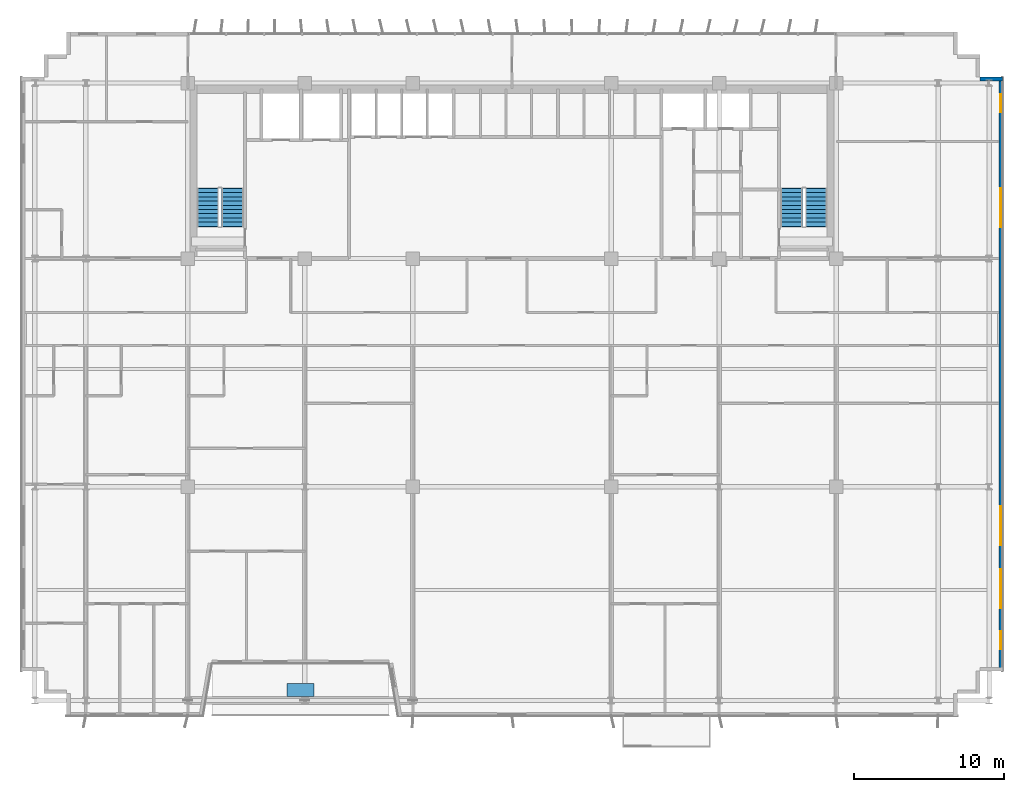
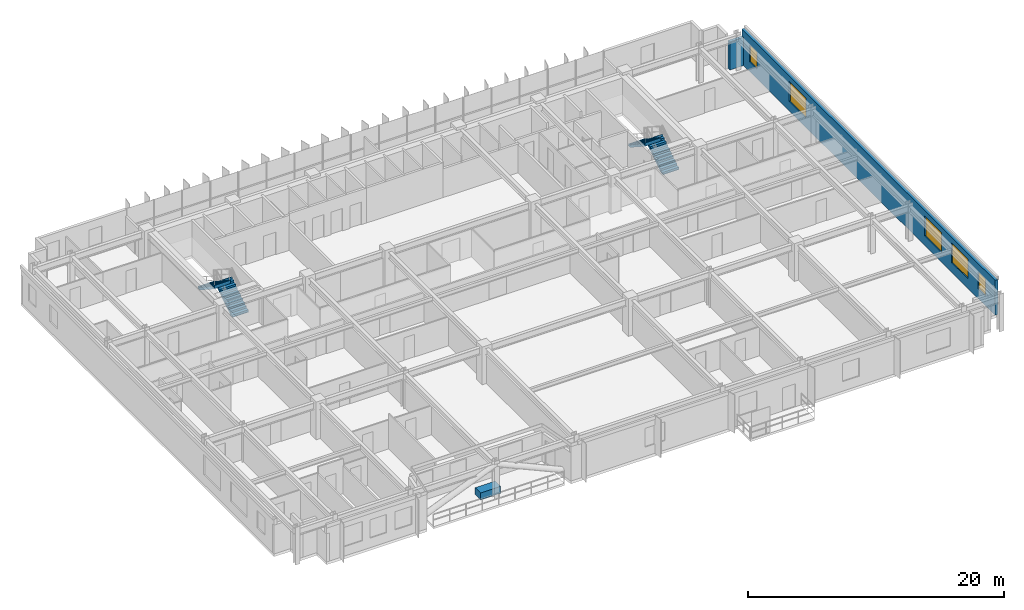
# One storey, part 20 of 23: 5 windows, 4 stair flights, 2 walls, 1 discrete accessory, 5 openings, 2 elements without a shape of their own.
"""IFC4 building model written with IfcOpenShell, lengths in metres."""

import ifcopenshell
import ifcopenshell.guid

model = None  # the IFC model being written
_history = None  # IfcOwnerHistory: only IFC2X3 demands one
_inside = {}  # id of a spatial element -> (the spatial element, [elements in it])
_under = {}  # id of a project, library or spatial element -> (it, [spatial elements below it])
_declared = {}  # id of a project -> (the project, [libraries it declares])
_typed = {}  # id of a type object -> (the type object, [elements of that type])
_made_of = {}  # id of a material, layer set ... -> (it, [elements and type objects made of it])


def new_model(schema):
    """Start an empty IFC model of exactly this schema.

    Asked for "IFC4X3", IfcOpenShell would pick the latest addendum, in which some entities
    have other attributes; the version numbers below select the first issue.
    IFC2X3 requires an IfcOwnerHistory on every rooted entity: one is made here for all.
    """
    global model, _history
    if schema == "IFC4X3":
        model = ifcopenshell.file(schema_version=(4, 3, 0, 0))
    else:
        model = ifcopenshell.file(schema=schema)
    _inside.clear()
    _under.clear()
    _declared.clear()
    _typed.clear()
    _made_of.clear()
    _history = None
    if model.schema == "IFC2X3":
        org = make("IfcOrganization", Name="unknown")
        user = make(
            "IfcPersonAndOrganization",
            ThePerson=make("IfcPerson", FamilyName="unknown"),
            TheOrganization=org,
        )
        app = make(
            "IfcApplication",
            ApplicationDeveloper=org,
            Version="unknown",
            ApplicationFullName="unknown",
            ApplicationIdentifier="unknown",
        )
        _history = make(
            "IfcOwnerHistory",
            OwningUser=user,
            OwningApplication=app,
            ChangeAction="ADDED",
            CreationDate=0,
        )
    return model


def make(cls, **values):
    """One entity of the class cls with the attributes given. An attribute that is None is left unset."""
    return model.create_entity(
        cls, **{name: value for name, value in values.items() if value is not None}
    )


def rooted(cls, **values):
    """An entity with a GlobalId (a new one), such as an element, a storey or a relation."""
    return make(cls, GlobalId=ifcopenshell.guid.new(), OwnerHistory=_history, **values)


def si_unit(unit_type, name, prefix=None):
    """IfcSIUnit, for example si_unit("LENGTHUNIT", "METRE", prefix="MILLI")."""
    return make("IfcSIUnit", UnitType=unit_type, Prefix=prefix, Name=name)


def assignment(units):
    """IfcUnitAssignment: the units of a project."""
    return None if units is None else make("IfcUnitAssignment", Units=units)


def point(xyz):
    """IfcCartesianPoint."""
    return None if xyz is None else make("IfcCartesianPoint", Coordinates=xyz)


def direction(xyz):
    """IfcDirection."""
    return None if xyz is None else make("IfcDirection", DirectionRatios=xyz)


def frame(location, z_axis=None, x_axis=None):
    """IfcAxis2Placement3D, a coordinate frame: its origin and axes. An axis left out is left unset."""
    return make(
        "IfcAxis2Placement3D",
        Location=point(location),
        Axis=direction(z_axis),
        RefDirection=direction(x_axis),
    )


def frame_2d(location, x_axis=None):
    """IfcAxis2Placement2D, a coordinate frame in the plane: its origin and x axis."""
    return make(
        "IfcAxis2Placement2D", Location=point(location), RefDirection=direction(x_axis)
    )


def origin():
    """The frame at (0, 0, 0) with its axes left unset."""
    return frame((0.0, 0.0, 0.0))


def origin_2d():
    """The frame at (0, 0) in the plane with its x axis left unset."""
    return frame_2d((0.0, 0.0))


def place(relative_to, where):
    """IfcLocalPlacement: puts the frame where relative to a parent placement (None: the world)."""
    return make(
        "IfcLocalPlacement", PlacementRelTo=relative_to, RelativePlacement=where
    )


def context(
    kind, dimensions, precision=None, world=None, true_north=None, identifier=None
):
    """IfcGeometricRepresentationContext, for example the 3D "Model" context."""
    return make(
        "IfcGeometricRepresentationContext",
        ContextIdentifier=identifier,
        ContextType=kind,
        CoordinateSpaceDimension=dimensions,
        Precision=precision,
        WorldCoordinateSystem=world,
        TrueNorth=true_north,
    )


def subcontext(parent, identifier, kind, view, scale=None):
    """IfcGeometricRepresentationSubContext, for example "Body" below "Model"."""
    return make(
        "IfcGeometricRepresentationSubContext",
        ContextIdentifier=identifier,
        ContextType=kind,
        ParentContext=parent,
        TargetScale=scale,
        TargetView=view,
    )


def project(units=None, contexts=None):
    """IfcProject with its units and contexts."""
    return rooted(
        "IfcProject",
        Name="project",
        RepresentationContexts=contexts,
        UnitsInContext=assignment(units),
    )


def spatial(cls, under=None, at=None, **own):
    """A site, building, storey or space (cls), placed at a placement, below another one or the project."""
    s = rooted(cls, ObjectPlacement=at, **own)
    if under is not None:
        _under.setdefault(under.id(), (under, []))[1].append(s)
    return s


def polyline(points):
    """IfcPolyline through the points."""
    return make("IfcPolyline", Points=[point(p) for p in points])


def profile(cls, at=None, kind="AREA", **sizes):
    """A parametric profile (cls). Its sizes go by their IFC names, for example OverallWidth=200.0."""
    return make(cls, ProfileType=kind, Position=at, **sizes)


def rectangle(**sizes):
    """IfcRectangleProfileDef."""
    return profile("IfcRectangleProfileDef", **sizes)


def outline(outer, holes=None, kind="AREA"):
    """IfcArbitraryClosedProfileDef: a profile drawn as a closed curve; with holes, ...WithVoids."""
    if holes is None:
        return make("IfcArbitraryClosedProfileDef", ProfileType=kind, OuterCurve=outer)
    return make(
        "IfcArbitraryProfileDefWithVoids",
        ProfileType=kind,
        OuterCurve=outer,
        InnerCurves=holes,
    )


def extrude(swept, where, along, depth):
    """IfcExtrudedAreaSolid: the profile swept, set in the frame where, extruded along a direction by depth."""
    return make(
        "IfcExtrudedAreaSolid",
        SweptArea=swept,
        Position=where,
        ExtrudedDirection=direction(along),
        Depth=depth,
    )


def shape(context_of_items, identifier, shape_type, items):
    """IfcShapeRepresentation: the items that make up one representation, for example the "Body"."""
    return make(
        "IfcShapeRepresentation",
        ContextOfItems=context_of_items,
        RepresentationIdentifier=identifier,
        RepresentationType=shape_type,
        Items=items,
    )


def source(mapping_origin, context_of_items, identifier, shape_type, items):
    """IfcRepresentationMap: a shape defined once, which mapped items show again and again."""
    return make(
        "IfcRepresentationMap",
        MappingOrigin=mapping_origin,
        MappedRepresentation=shape(context_of_items, identifier, shape_type, items),
    )


def transform(
    local_origin,
    x_axis=None,
    y_axis=None,
    z_axis=None,
    scale=None,
    scale2=None,
    scale3=None,
    uniform=True,
):
    """IfcCartesianTransformationOperator3D, or its non-uniform kind. x_axis, y_axis, z_axis: its Axis1, 2, 3."""
    if uniform:
        return make(
            "IfcCartesianTransformationOperator3D",
            Axis1=direction(x_axis),
            Axis2=direction(y_axis),
            LocalOrigin=point(local_origin),
            Scale=scale,
            Axis3=direction(z_axis),
        )
    return make(
        "IfcCartesianTransformationOperator3DnonUniform",
        Axis1=direction(x_axis),
        Axis2=direction(y_axis),
        LocalOrigin=point(local_origin),
        Scale=scale,
        Axis3=direction(z_axis),
        Scale2=scale2,
        Scale3=scale3,
    )


def mapped(mapping_source, mapping_target):
    """IfcMappedItem: shows the shape of a source again, moved by a transform."""
    return make(
        "IfcMappedItem", MappingSource=mapping_source, MappingTarget=mapping_target
    )


def material(Name=None, Category=None):
    """IfcMaterial."""
    return make("IfcMaterial", Name=Name, Category=Category)


def layer(
    of_material, thickness, ventilated=None, Name=None, Category=None, Priority=None
):
    """IfcMaterialLayer: one layer of a wall or slab, of a material (None: an air gap)."""
    return make(
        "IfcMaterialLayer",
        Material=of_material,
        LayerThickness=thickness,
        IsVentilated=ventilated,
        Name=Name,
        Category=Category,
        Priority=Priority,
    )


def layer_set(layers, Name=None):
    """IfcMaterialLayerSet."""
    return make("IfcMaterialLayerSet", MaterialLayers=layers, LayerSetName=Name)


def made_of(thing, what):
    """Note that an element or type object is made of a material, layer set ...; save() writes the relation."""
    if what is not None:
        _made_of.setdefault(what.id(), (what, []))[1].append(thing)
    return thing


def type_object(cls, material=None, **own):
    """A type object (cls), such as IfcWallType, which elements share."""
    return made_of(rooted(cls, **own), material)


def element(
    cls,
    number,
    at=None,
    inside=None,
    cuts=None,
    type_object=None,
    material=None,
    context=None,
    identifier="Body",
    shape_type=None,
    held_by="IfcProductDefinitionShape",
    body=None,
    shapes=None,
    **own,
):
    """One element of the class cls, such as IfcWall. Its Tag is "e" and its number.

    at: its placement. inside: the storey or other place that contains it. cuts: it is an
    opening in that element (IfcRelVoidsElement). A single representation is given by context,
    identifier, shape_type and body (its items); several are given by shapes. held_by: the class
    of the entity that holds the representations. save() writes the other relations.
    """
    e = rooted(cls, Tag="e%d" % number, ObjectPlacement=at, **own)
    if body is not None:
        shapes = [shape(context, identifier, shape_type, body)]
    if shapes is not None:
        e.Representation = make(held_by, Representations=shapes)
    if inside is not None:
        _inside.setdefault(inside.id(), (inside, []))[1].append(e)
    if cuts is not None:
        rooted(
            "IfcRelVoidsElement", RelatingBuildingElement=cuts, RelatedOpeningElement=e
        )
    if type_object is not None:
        _typed.setdefault(type_object.id(), (type_object, []))[1].append(e)
    return made_of(e, material)


def fill(opening, filler):
    """IfcRelFillsElement: the door or window that sits in an opening."""
    return rooted(
        "IfcRelFillsElement",
        RelatingOpeningElement=opening,
        RelatedBuildingElement=filler,
    )


def aggregate(whole, parts):
    """IfcRelAggregates: a whole, such as a stair, and the parts it consists of."""
    return rooted("IfcRelAggregates", RelatingObject=whole, RelatedObjects=parts)


def save(model, path):
    """Write the relations noted so far, then the file.

    IfcRelAggregates (storeys below a building ...), IfcRelContainedInSpatialStructure (elements
    in a storey), IfcRelDefinesByType, IfcRelAssociatesMaterial and IfcRelDeclares: one each for
    every whole, place, type object, material and project.
    """
    for whole, parts in _under.values():
        aggregate(whole, parts)
    for where, things in _inside.values():
        rooted(
            "IfcRelContainedInSpatialStructure",
            RelatedElements=things,
            RelatingStructure=where,
        )
    for kind, things in _typed.values():
        rooted("IfcRelDefinesByType", RelatedObjects=things, RelatingType=kind)
    for what, things in _made_of.values():
        rooted("IfcRelAssociatesMaterial", RelatedObjects=things, RelatingMaterial=what)
    for by, libraries in _declared.values():
        rooted("IfcRelDeclares", RelatingContext=by, RelatedDefinitions=libraries)
    model.write(path)


model = new_model("IFC4")

# Units and contexts
model_context = context("Model", 3, precision=1e-05, world=origin(), true_north=direction((0.0, 1.0)))
body_context = subcontext(model_context, "Body", "Model", "MODEL_VIEW")
ifc_project = project(units=[si_unit("LENGTHUNIT", "METRE"), si_unit("AREAUNIT", "SQUARE_METRE"), si_unit("VOLUMEUNIT", "CUBIC_METRE"), si_unit("PLANEANGLEUNIT", "RADIAN"), si_unit("MASSUNIT", "GRAM", prefix="KILO")], contexts=[model_context])

# Site, building, storey
site_placement = place(None, origin())
site = spatial("IfcSite", under=ifc_project, at=site_placement, CompositionType="ELEMENT")
building_placement = place(site_placement, origin())
building = spatial("IfcBuilding", under=site, at=building_placement, Name="Trelvane Seafront Commons", CompositionType="ELEMENT")
storey_placement = place(building_placement, frame((0.0, 0.0, 63.10009765625)))
storey = spatial("IfcBuildingStorey", under=building, at=storey_placement, Name="L16", CompositionType="ELEMENT", Elevation=63.10009765625)

# Wall
ifc_material_1 = material(Name="Precast concrete C40/50", Category="concrete")
ifc_layer = layer(ifc_material_1, 0.260009765625, Name="ARCH-WALL-EXT260")
ifc_layer_set = layer_set([ifc_layer], Name="Precast concrete C40/50")
wall_type = type_object("IfcWallType", Name="ARCH-WALL-EXT260", PredefinedType="SOLIDWALL", material=ifc_layer_set)
wall_1_placement = place(storey_placement, frame((68.39990234375, 45.3701171875, 0.0), z_axis=(0.0, 0.0, 1.0), x_axis=(1.0, 0.0, 0.0)))
element("IfcWall", 1, at=wall_1_placement, inside=storey, type_object=wall_type, Name="EW-L16-00289", PredefinedType="SOLIDWALL", context=body_context, shape_type="SweptSolid", body=[
    extrude(rectangle(XDim=1.5, YDim=0.260009765625, at=frame_2d((0.75, 0.0))), origin(), (0.0, 0.0, 1.0), 2.68994140625),
])

# Wall, openings, windows
wall_2_placement = place(storey_placement, frame((69.77001953125, 45.5, 0.0), z_axis=(0.0, 0.0, 1.0), x_axis=(0.0, -1.0, 0.0)))
wall_2 = element("IfcWall", 2, at=wall_2_placement, inside=storey, type_object=wall_type, Name="EW-L16-00290", PredefinedType="SOLIDWALL", context=body_context, shape_type="SweptSolid", body=[
    extrude(rectangle(XDim=39.60009765625, YDim=0.260009765625, at=frame_2d((19.800048828125, 0.0))), origin(), (0.0, 0.0, 1.0), 3.33984375),
])
opening_1_placement = place(wall_2_placement, frame((36.949951171875, 0.0, 0.919921875)))
opening_1 = element("IfcOpeningElement", 3, at=opening_1_placement, cuts=wall_2, Name="Opening W05", PredefinedType="OPENING", context=body_context, shape_type="SweptSolid", body=[
    extrude(rectangle(XDim=1.199951171875, YDim=1.64990234375, at=frame_2d((0.60009765625, 0.824951171875))), frame((0.0, 0.139892578125, 0.0), z_axis=(0.0, -1.0, 0.0), x_axis=(1.0, 0.0, 0.0)), (0.0, 0.0, 1.0), 0.280029296875),
])
opening_2_placement = place(wall_2_placement, frame((32.800048828125, 0.0, 0.919921875)))
opening_2 = element("IfcOpeningElement", 4, at=opening_2_placement, cuts=wall_2, Name="Opening W04", PredefinedType="OPENING", context=body_context, shape_type="SweptSolid", body=[
    extrude(rectangle(XDim=2.60009765625, YDim=1.89990234375, at=frame_2d((1.300048828125, 0.949951171875))), frame((0.0, 0.139892578125, 0.0), z_axis=(0.0, -1.0, 0.0), x_axis=(1.0, 0.0, 0.0)), (0.0, 0.0, 1.0), 0.280029296875),
])
opening_3_placement = place(wall_2_placement, frame((28.60009765625, 0.0, 0.919921875)))
opening_3 = element("IfcOpeningElement", 5, at=opening_3_placement, cuts=wall_2, Name="Opening W04", PredefinedType="OPENING", context=body_context, shape_type="SweptSolid", body=[
    extrude(rectangle(XDim=2.60009765625, YDim=1.89990234375, at=frame_2d((1.300048828125, 0.949951171875))), frame((0.0, 0.139892578125, 0.0), z_axis=(0.0, -1.0, 0.0), x_axis=(1.0, 0.0, 0.0)), (0.0, 0.0, 1.0), 0.280029296875),
])
opening_4_placement = place(wall_2_placement, frame((7.39990234375, 0.0, 0.919921875)))
opening_4 = element("IfcOpeningElement", 6, at=opening_4_placement, cuts=wall_2, Name="Opening W04", PredefinedType="OPENING", context=body_context, shape_type="SweptSolid", body=[
    extrude(rectangle(XDim=2.60009765625, YDim=1.89990234375, at=frame_2d((1.300048828125, 0.949951171875))), frame((0.0, 0.139892578125, 0.0), z_axis=(0.0, -1.0, 0.0), x_axis=(1.0, 0.0, 0.0)), (0.0, 0.0, 1.0), 0.280029296875),
])
opening_5_placement = place(wall_2_placement, frame((1.14990234375, 0.0, 0.919921875)))
opening_5 = element("IfcOpeningElement", 7, at=opening_5_placement, cuts=wall_2, Name="Opening W05", PredefinedType="OPENING", context=body_context, shape_type="SweptSolid", body=[
    extrude(rectangle(XDim=1.199951171875, YDim=1.64990234375, at=frame_2d((0.60009765625, 0.824951171875))), frame((0.0, 0.139892578125, 0.0), z_axis=(0.0, -1.0, 0.0), x_axis=(1.0, 0.0, 0.0)), (0.0, 0.0, 1.0), 0.280029296875),
])
ifc_material_2 = material(Name="Low-E coastal double glazing", Category="glass")
window_type_1 = type_object("IfcWindowType", Name="ARCH-WIN-W04", PartitioningType="SINGLE_PANEL", PredefinedType="WINDOW", material=ifc_material_2)
shared_shape_1 = source(origin(), body_context, "Body", "SweptSolid", [
    extrude(rectangle(XDim=2.60009765625, YDim=1.89990234375, at=frame_2d((1.300048828125, 0.949951171875))), frame((0.0, 0.030029296875, 0.0), z_axis=(0.0, -1.0, 0.0), x_axis=(1.0, 0.0, 0.0)), (0.0, 0.0, 1.0), 0.06005859375),
])
window_1_placement = place(opening_2_placement, origin())
window_1 = element("IfcWindow", 8, at=window_1_placement, inside=storey, type_object=window_type_1, Name="WIN-L16-EW-00341", OverallHeight=1.89990234375, OverallWidth=2.60009765625, PartitioningType="SINGLE_PANEL", PredefinedType="WINDOW", context=body_context, shape_type="MappedRepresentation", body=[
    mapped(shared_shape_1, transform((0.0, 0.0, 0.0), x_axis=(1.0, 0.0, 0.0), y_axis=(0.0, 1.0, 0.0), z_axis=(0.0, 0.0, 1.0), scale=1.0)),
])
fill(opening_2, window_1)
window_2_placement = place(opening_3_placement, origin())
window_2 = element("IfcWindow", 9, at=window_2_placement, inside=storey, type_object=window_type_1, Name="WIN-L16-EW-00342", OverallHeight=1.89990234375, OverallWidth=2.60009765625, PartitioningType="SINGLE_PANEL", PredefinedType="WINDOW", context=body_context, shape_type="MappedRepresentation", body=[
    mapped(shared_shape_1, transform((0.0, 0.0, 0.0), x_axis=(1.0, 0.0, 0.0), y_axis=(0.0, 1.0, 0.0), z_axis=(0.0, 0.0, 1.0), scale=1.0)),
])
fill(opening_3, window_2)
window_3_placement = place(opening_4_placement, origin())
window_3 = element("IfcWindow", 10, at=window_3_placement, inside=storey, type_object=window_type_1, Name="WIN-L16-EW-00343", OverallHeight=1.89990234375, OverallWidth=2.60009765625, PartitioningType="SINGLE_PANEL", PredefinedType="WINDOW", context=body_context, shape_type="MappedRepresentation", body=[
    mapped(shared_shape_1, transform((0.0, 0.0, 0.0), x_axis=(1.0, 0.0, 0.0), y_axis=(0.0, 1.0, 0.0), z_axis=(0.0, 0.0, 1.0), scale=1.0)),
])
fill(opening_4, window_3)
window_type_2 = type_object("IfcWindowType", Name="ARCH-WIN-W05", PartitioningType="SINGLE_PANEL", PredefinedType="WINDOW", material=ifc_material_2)
shared_shape_2 = source(origin(), body_context, "Body", "SweptSolid", [
    extrude(rectangle(XDim=1.199951171875, YDim=1.64990234375, at=frame_2d((0.60009765625, 0.824951171875))), frame((0.0, 0.030029296875, 0.0), z_axis=(0.0, -1.0, 0.0), x_axis=(1.0, 0.0, 0.0)), (0.0, 0.0, 1.0), 0.06005859375),
])
window_4_placement = place(opening_1_placement, origin())
window_4 = element("IfcWindow", 11, at=window_4_placement, inside=storey, type_object=window_type_2, Name="WIN-L16-EW-00340", OverallHeight=1.64990234375, OverallWidth=1.199951171875, PartitioningType="SINGLE_PANEL", PredefinedType="WINDOW", context=body_context, shape_type="MappedRepresentation", body=[
    mapped(shared_shape_2, transform((0.0, 0.0, 0.0), x_axis=(1.0, 0.0, 0.0), y_axis=(0.0, 1.0, 0.0), z_axis=(0.0, 0.0, 1.0), scale=1.0)),
])
fill(opening_1, window_4)
window_5_placement = place(opening_5_placement, origin())
window_5 = element("IfcWindow", 12, at=window_5_placement, inside=storey, type_object=window_type_2, Name="WIN-L16-EW-00344", OverallHeight=1.64990234375, OverallWidth=1.199951171875, PartitioningType="SINGLE_PANEL", PredefinedType="WINDOW", context=body_context, shape_type="MappedRepresentation", body=[
    mapped(shared_shape_2, transform((0.0, 0.0, 0.0), x_axis=(1.0, 0.0, 0.0), y_axis=(0.0, 1.0, 0.0), z_axis=(0.0, 0.0, 1.0), scale=1.0)),
])
fill(opening_5, window_5)

# Stair, stair flights
ifc_material_3 = material(Name="Concrete C40/50", Category="concrete")
stair_type_1 = type_object("IfcStairType", Name="ARCH-STR-ST-1-R20-180", PredefinedType="HALF_TURN_STAIR", material=ifc_material_3)
stair_1_placement = place(storey_placement, origin())
stair_1 = element("IfcStair", 13, at=stair_1_placement, inside=storey, type_object=stair_type_1, Name="L16 West Protected Firefighting Exit Stair ST-1", PredefinedType="HALF_TURN_STAIR")
stair_flight_type_1 = type_object("IfcStairFlightType", Name="ARCH-FLG-ST-1-R20-180", PredefinedType="STRAIGHT", material=ifc_material_3)
shared_shape_3 = source(origin(), body_context, "Body", "SweptSolid", [
    extrude(outline(polyline([(-0.050048828125, -0.02001953125), (-0.050048828125, 0.0), (0.0, 0.0), (0.0, 0.179931640625), (0.280029296875, 0.179931640625), (0.280029296875, 0.360107421875), (0.56005859375, 0.360107421875), (0.56005859375, 0.5400390625), (0.840087890625, 0.5400390625), (0.840087890625, 0.719970703125), (1.1201171875, 0.719970703125), (1.1201171875, 0.89990234375), (1.39990234375, 0.89990234375), (1.39990234375, 1.080078125), (1.679931640625, 1.080078125), (1.679931640625, 1.260009765625), (1.9599609375, 1.260009765625), (1.9599609375, 1.43994140625), (2.239990234375, 1.43994140625), (2.239990234375, 1.6201171875), (2.52001953125, 1.6201171875), (2.52001953125, 1.800048828125), (2.570068359375, 1.800048828125), (2.570068359375, 1.650146484375), (2.52001953125, 1.44189453125), (0.277099609375, -0.02001953125), (-0.050048828125, -0.02001953125)])), frame((0.0, 0.72509765625, 0.0), z_axis=(0.0, -1.0, 0.0), x_axis=(1.0, 0.0, 0.0)), (0.0, 0.0, 1.0), 1.449951171875),
])
stair_flight_1_placement = place(storey_placement, frame((18.574951171875, 35.550048828125, 0.0), z_axis=(0.0, 0.0, 1.0), x_axis=(0.0, 1.0, 0.0)))
stair_flight_1 = element("IfcStairFlight", 14, at=stair_flight_1_placement, type_object=stair_flight_type_1, Name="ST-1 flight 1", NumberOfRisers=10, NumberOfTreads=9, PredefinedType="STRAIGHT", RiserHeight=0.18, TreadLength=0.28, context=body_context, shape_type="MappedRepresentation", body=[
    mapped(shared_shape_3, transform((0.0, 0.0, 0.0), x_axis=(1.0, 0.0, 0.0), y_axis=(0.0, 1.0, 0.0), z_axis=(0.0, 0.0, 1.0), scale=1.0)),
])
stair_flight_2_placement = place(storey_placement, frame((16.925048828125, 38.070068359375, 1.7998046875), z_axis=(0.0, 0.0, 1.0), x_axis=(0.0, -1.0, 0.0)))
stair_flight_2 = element("IfcStairFlight", 15, at=stair_flight_2_placement, type_object=stair_flight_type_1, Name="ST-1 flight 2", NumberOfRisers=10, NumberOfTreads=9, PredefinedType="STRAIGHT", RiserHeight=0.18, TreadLength=0.28, context=body_context, shape_type="MappedRepresentation", body=[
    mapped(shared_shape_3, transform((0.0, 0.0, 0.0), x_axis=(1.0, 0.0, 0.0), y_axis=(0.0, 1.0, 0.0), z_axis=(0.0, 0.0, 1.0), scale=1.0)),
])
aggregate(stair_1, [stair_flight_1, stair_flight_2])

stair_type_2 = type_object("IfcStairType", Name="ARCH-STR-ST-2-R20-180", PredefinedType="HALF_TURN_STAIR", material=ifc_material_3)
stair_2_placement = place(storey_placement, origin())
stair_2 = element("IfcStair", 16, at=stair_2_placement, inside=storey, type_object=stair_type_2, Name="L16 East Protected Firefighting Exit Stair ST-2", PredefinedType="HALF_TURN_STAIR")
stair_flight_type_2 = type_object("IfcStairFlightType", Name="ARCH-FLG-ST-2-R20-180", PredefinedType="STRAIGHT", material=ifc_material_3)
stair_flight_3_placement = place(storey_placement, frame((57.47509765625, 35.550048828125, 0.0), z_axis=(0.0, 0.0, 1.0), x_axis=(0.0, 1.0, 0.0)))
stair_flight_3 = element("IfcStairFlight", 17, at=stair_flight_3_placement, type_object=stair_flight_type_2, Name="ST-2 flight 1", NumberOfRisers=10, NumberOfTreads=9, PredefinedType="STRAIGHT", RiserHeight=0.18, TreadLength=0.28, context=body_context, shape_type="MappedRepresentation", body=[
    mapped(shared_shape_3, transform((0.0, 0.0, 0.0), x_axis=(1.0, 0.0, 0.0), y_axis=(0.0, 1.0, 0.0), z_axis=(0.0, 0.0, 1.0), scale=1.0)),
])
stair_flight_4_placement = place(storey_placement, frame((55.824951171875, 38.070068359375, 1.7998046875), z_axis=(0.0, 0.0, 1.0), x_axis=(0.0, -1.0, 0.0)))
stair_flight_4 = element("IfcStairFlight", 18, at=stair_flight_4_placement, type_object=stair_flight_type_2, Name="ST-2 flight 2", NumberOfRisers=10, NumberOfTreads=9, PredefinedType="STRAIGHT", RiserHeight=0.18, TreadLength=0.28, context=body_context, shape_type="MappedRepresentation", body=[
    mapped(shared_shape_3, transform((0.0, 0.0, 0.0), x_axis=(1.0, 0.0, 0.0), y_axis=(0.0, 1.0, 0.0), z_axis=(0.0, 0.0, 1.0), scale=1.0)),
])
aggregate(stair_2, [stair_flight_3, stair_flight_4])

# Discrete accessory
discrete_accessory_type = type_object("IfcDiscreteAccessoryType", Name="ARCH-ACC-PLANTER", PredefinedType="USERDEFINED", material=ifc_material_1)
shared_shape_4 = source(origin(), body_context, "Body", "SweptSolid", [
    extrude(rectangle(XDim=1.800048828125, YDim=0.85009765625, at=origin_2d()), origin(), (0.0, 0.0, 1.0), 0.64990234375),
])
discrete_accessory_placement = place(storey_placement, frame((23.10009765625, 4.64990234375, 0.0), z_axis=(0.0, 0.0, 1.0), x_axis=(1.0, 0.0, 0.0)))
element("IfcDiscreteAccessory", 19, at=discrete_accessory_placement, inside=storey, type_object=discrete_accessory_type, Name="PLN-L16-TR0-021", ObjectType="BALCONY TREE PLANTER", PredefinedType="USERDEFINED", context=body_context, shape_type="MappedRepresentation", body=[
    mapped(shared_shape_4, transform((0.0, 0.0, 0.0), x_axis=(1.0, 0.0, 0.0), y_axis=(0.0, 1.0, 0.0), z_axis=(0.0, 0.0, 1.0), scale=1.0)),
])

save(model, "model.ifc")
